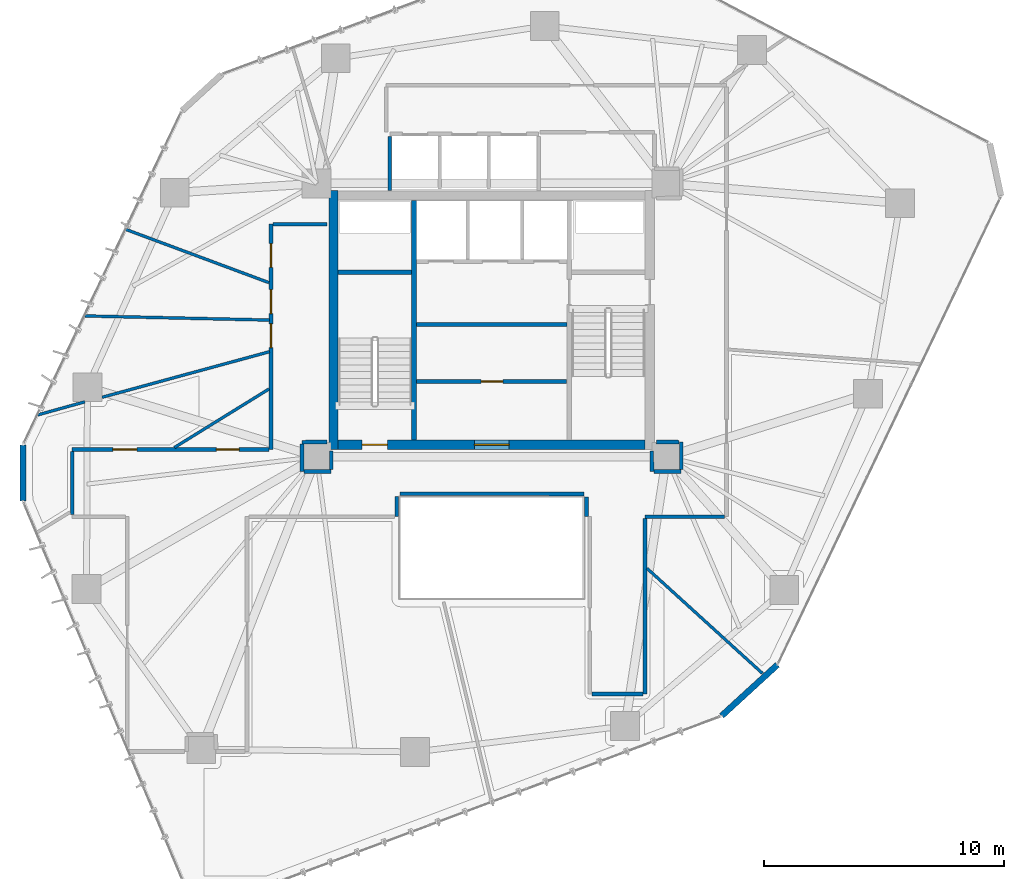
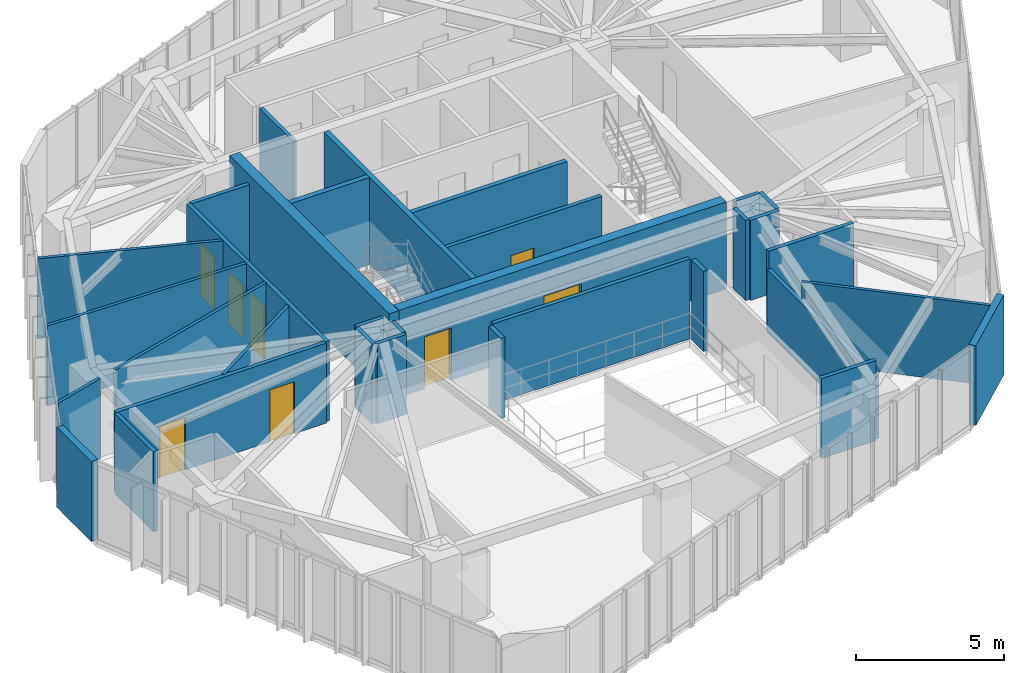
# One storey, part 17 of 22: 33 walls, 8 doors, 8 openings.
"""IFC4 building model written with IfcOpenShell, lengths in metres."""

from ifc_helpers import new_model, si_unit, direction, frame, frame_2d, origin, place, context, subcontext, project, spatial, rectangle, extrude, source, transform, mapped, material, layer, layer_set, type_object, type_shapes, element, fill, save


model = new_model("IFC4")

# Units and contexts
model_context = context("Model", 3, precision=1e-05, world=origin(), true_north=direction((0.0, 1.0)))
body_context = subcontext(model_context, "Body", "Model", "MODEL_VIEW")
ifc_project = project(units=[si_unit("LENGTHUNIT", "METRE"), si_unit("AREAUNIT", "SQUARE_METRE"), si_unit("VOLUMEUNIT", "CUBIC_METRE"), si_unit("PLANEANGLEUNIT", "RADIAN"), si_unit("MASSUNIT", "GRAM", prefix="KILO")], contexts=[model_context])

# Site, building, storey
site_placement = place(None, origin())
site = spatial("IfcSite", under=ifc_project, at=site_placement, CompositionType="ELEMENT")
building_placement = place(site_placement, origin())
building = spatial("IfcBuilding", under=site, at=building_placement, Name="Talar Marvaseh", CompositionType="ELEMENT")
storey_placement = place(building_placement, frame((0.0, 0.0, 150.60009765625)))
storey = spatial("IfcBuildingStorey", under=building, at=storey_placement, Name="L39", CompositionType="ELEMENT", Elevation=150.60009765625)

# Walls
ifc_material_1 = material(Name="Precast concrete C45/55", Category="concrete")
ifc_layer_1 = layer(ifc_material_1, 0.2548828125)
ifc_layer_set_1 = layer_set([ifc_layer_1], Name="Precast concrete C45/55")
wall_type_1 = type_object("IfcWallType", Name="Chamfered Hexagonal Corner Pier Wall Z2 255", PredefinedType="SOLIDWALL", material=ifc_layer_set_1)
wall_1_placement = place(storey_placement, frame((6.457763671875, 23.653076171875, 0.0), z_axis=(0.0, 0.0, 1.0), x_axis=(-0.002190232544, 0.999997601438, 0.0)))
element("IfcWall", 1, at=wall_1_placement, inside=storey, type_object=wall_type_1, Name="L39 Chamfered Corner Limestone Pier 2", PredefinedType="SOLIDWALL", context=body_context, shape_type="SweptSolid", body=[
    extrude(rectangle(XDim=2.3408203125, YDim=0.2548828125, at=frame_2d((1.17041015625, 0.0))), origin(), (0.0, 0.0, 1.0), 3.309814453125),
])
wall_2_placement = place(storey_placement, frame((37.925537109375, 16.820556640625, 0.0), z_axis=(0.0, 0.0, 1.0), x_axis=(-0.737269760329, -0.675598475801, 0.0)))
element("IfcWall", 2, at=wall_2_placement, inside=storey, type_object=wall_type_1, Name="L39 Chamfered Corner Limestone Pier 6", PredefinedType="SOLIDWALL", context=body_context, shape_type="SweptSolid", body=[
    extrude(rectangle(XDim=3.155029296875, YDim=0.2548828125, at=frame_2d((1.57763671875, 0.0))), origin(), (0.0, 0.0, 1.0), 3.309814453125),
])

# Wall, opening, door
ifc_material_2 = material(Name="Gypsum Board Partition Assembly")
ifc_layer_2 = layer(ifc_material_2, 0.155029296875)
ifc_layer_set_2 = layer_set([ifc_layer_2], Name="Gypsum Board Partition Assembly")
wall_type_2 = type_object("IfcWallType", Name="Corridor Fire-Rated Acoustic Partition 155", PredefinedType="PARTITIONING", material=ifc_layer_set_2)
wall_3_placement = place(storey_placement, frame((22.865966796875, 28.639892578125, 0.0), z_axis=(0.0, 0.0, 1.0), x_axis=(1.0, 0.0, 0.0)))
wall_3 = element("IfcWall", 3, at=wall_3_placement, inside=storey, type_object=wall_type_2, Name="L39 Core BOH Partition", PredefinedType="PARTITIONING", context=body_context, shape_type="SweptSolid", body=[
    extrude(rectangle(XDim=6.26806640625, YDim=0.155029296875, at=frame_2d((3.134033203125, 0.0))), origin(), (0.0, 0.0, 1.0), 3.309814453125),
])
opening_1_placement = place(wall_3_placement, frame((2.699951171875, 0.0, 0.0)))
opening_1 = element("IfcOpeningElement", 4, at=opening_1_placement, cuts=wall_3, Name="Opening DR-BOH090", PredefinedType="OPENING", context=body_context, shape_type="SweptSolid", body=[
    extrude(rectangle(XDim=0.89990234375, YDim=2.10009765625, at=frame_2d((0.449951171875, 1.050048828125))), frame((0.0, 0.08740234375, 0.0), z_axis=(0.0, -1.0, 0.0), x_axis=(1.0, 0.0, 0.0)), (0.0, 0.0, 1.0), 0.175048828125),
])
ifc_material_3 = material(Name="Fire-Rated Steel Door Leaf", Category="steel")
door_type_1 = type_object("IfcDoorType", Name="Core Back-of-House Service Door 900x2100", OperationType="NOTDEFINED", PredefinedType="DOOR", material=ifc_material_3)
shared_shape_1 = source(origin(), body_context, "Body", "SweptSolid", [
    extrude(rectangle(XDim=0.89990234375, YDim=2.10009765625, at=frame_2d((0.449951171875, 1.050048828125))), frame((0.0, 0.02490234375, 0.0), z_axis=(0.0, -1.0, 0.0), x_axis=(1.0, 0.0, 0.0)), (0.0, 0.0, 1.0), 0.050048828125),
])
type_shapes(door_type_1, [shared_shape_1])
door_1_placement = place(opening_1_placement, origin())
door_1 = element("IfcDoor", 5, at=door_1_placement, inside=storey, type_object=door_type_1, Name="L39 Store Core Central Archive Door", OperationType="SINGLE_SWING_LEFT", OverallHeight=2.10009765625, OverallWidth=0.89990234375, PredefinedType="DOOR", context=body_context, shape_type="MappedRepresentation", body=[
    mapped(shared_shape_1, transform((0.0, 0.0, 0.0), x_axis=(1.0, 0.0, 0.0), y_axis=(0.0, 1.0, 0.0), z_axis=(0.0, 0.0, 1.0), scale=1.0)),
])
fill(opening_1, door_1)

# Wall, openings, doors
wall_4_placement = place(storey_placement, frame((16.800048828125, 25.800048828125, 0.0), z_axis=(0.0, 0.0, 1.0), x_axis=(0.0, 1.0, 0.0)))
wall_4 = element("IfcWall", 6, at=wall_4_placement, inside=storey, type_object=wall_type_2, Name="L39 Interior Partition Wall", PredefinedType="PARTITIONING", context=body_context, shape_type="SweptSolid", body=[
    extrude(rectangle(XDim=9.39990234375, YDim=0.155029296875, at=frame_2d((4.699951171875, 0.0))), origin(), (0.0, 0.0, 1.0), 3.309814453125),
])
opening_2_placement = place(wall_4_placement, frame((7.595947265625, 0.0, 0.0)))
opening_2 = element("IfcOpeningElement", 7, at=opening_2_placement, cuts=wall_4, Name="Opening DR-RM100", PredefinedType="OPENING", context=body_context, shape_type="SweptSolid", body=[
    extrude(rectangle(XDim=1.0, YDim=2.14990234375, at=frame_2d((0.5, 1.074951171875))), frame((0.0, 0.08740234375, 0.0), z_axis=(0.0, -1.0, 0.0), x_axis=(1.0, 0.0, 0.0)), (0.0, 0.0, 1.0), 0.175048828125),
])
opening_3_placement = place(wall_4_placement, frame((5.669921875, 0.0, 0.0)))
opening_3 = element("IfcOpeningElement", 8, at=opening_3_placement, cuts=wall_4, Name="Opening DR-RM100", PredefinedType="OPENING", context=body_context, shape_type="SweptSolid", body=[
    extrude(rectangle(XDim=1.0, YDim=2.14990234375, at=frame_2d((0.5, 1.074951171875))), frame((0.0, 0.08740234375, 0.0), z_axis=(0.0, -1.0, 0.0), x_axis=(1.0, 0.0, 0.0)), (0.0, 0.0, 1.0), 0.175048828125),
])
opening_4_placement = place(wall_4_placement, frame((4.24755859375, 0.0, 0.0)))
opening_4 = element("IfcOpeningElement", 9, at=opening_4_placement, cuts=wall_4, Name="Opening DR-RM100", PredefinedType="OPENING", context=body_context, shape_type="SweptSolid", body=[
    extrude(rectangle(XDim=1.0, YDim=2.14990234375, at=frame_2d((0.5, 1.074951171875))), frame((0.0, 0.08740234375, 0.0), z_axis=(0.0, -1.0, 0.0), x_axis=(1.0, 0.0, 0.0)), (0.0, 0.0, 1.0), 0.175048828125),
])
ifc_material_4 = material(Name="Acoustic Engineered Oak Timber", Category="wood")
door_type_2 = type_object("IfcDoorType", Name="Corridor Fire-Rated Gallery Door 1000x2150", OperationType="NOTDEFINED", PredefinedType="DOOR", material=ifc_material_4)
shared_shape_2 = source(origin(), body_context, "Body", "SweptSolid", [
    extrude(rectangle(XDim=1.0, YDim=2.14990234375, at=frame_2d((0.5, 1.074951171875))), frame((0.0, 0.02490234375, 0.0), z_axis=(0.0, -1.0, 0.0), x_axis=(1.0, 0.0, 0.0)), (0.0, 0.0, 1.0), 0.050048828125),
])
type_shapes(door_type_2, [shared_shape_2])
door_2_placement = place(opening_2_placement, origin())
door_2 = element("IfcDoor", 10, at=door_2_placement, inside=storey, type_object=door_type_2, Name="L39 Quiet Research Study Door", OperationType="SINGLE_SWING_LEFT", OverallHeight=2.14990234375, OverallWidth=1.0, PredefinedType="DOOR", context=body_context, shape_type="MappedRepresentation", body=[
    mapped(shared_shape_2, transform((0.0, 0.0, 0.0), x_axis=(1.0, 0.0, 0.0), y_axis=(0.0, 1.0, 0.0), z_axis=(0.0, 0.0, 1.0), scale=1.0)),
])
fill(opening_2, door_2)
door_3_placement = place(opening_3_placement, origin())
door_3 = element("IfcDoor", 11, at=door_3_placement, inside=storey, type_object=door_type_2, Name="L39 Editorial Administration Office Door", OperationType="SINGLE_SWING_RIGHT", OverallHeight=2.14990234375, OverallWidth=1.0, PredefinedType="DOOR", context=body_context, shape_type="MappedRepresentation", body=[
    mapped(shared_shape_2, transform((0.0, 0.0, 0.0), x_axis=(1.0, 0.0, 0.0), y_axis=(0.0, 1.0, 0.0), z_axis=(0.0, 0.0, 1.0), scale=1.0)),
])
fill(opening_3, door_3)
door_4_placement = place(opening_4_placement, origin())
door_4 = element("IfcDoor", 12, at=door_4_placement, inside=storey, type_object=door_type_2, Name="L39 Curatorial Office 2 Door", OperationType="SINGLE_SWING_LEFT", OverallHeight=2.14990234375, OverallWidth=1.0, PredefinedType="DOOR", context=body_context, shape_type="MappedRepresentation", body=[
    mapped(shared_shape_2, transform((0.0, 0.0, 0.0), x_axis=(1.0, 0.0, 0.0), y_axis=(0.0, 1.0, 0.0), z_axis=(0.0, 0.0, 1.0), scale=1.0)),
])
fill(opening_4, door_4)

wall_5_placement = place(storey_placement, frame((8.5, 25.800048828125, 0.0), z_axis=(0.0, 0.0, 1.0), x_axis=(1.0, 0.0, 0.0)))
wall_5 = element("IfcWall", 13, at=wall_5_placement, inside=storey, type_object=wall_type_2, Name="L39 Interior Partition Wall", PredefinedType="PARTITIONING", context=body_context, shape_type="SweptSolid", body=[
    extrude(rectangle(XDim=8.216552734375, YDim=0.155029296875, at=frame_2d((4.1083984375, 0.0))), origin(), (0.0, 0.0, 1.0), 3.309814453125),
])
opening_5_placement = place(wall_5_placement, frame((1.698974609375, 0.0, 0.0)))
opening_5 = element("IfcOpeningElement", 14, at=opening_5_placement, cuts=wall_5, Name="Opening DR-RM100", PredefinedType="OPENING", context=body_context, shape_type="SweptSolid", body=[
    extrude(rectangle(XDim=1.0, YDim=2.14990234375, at=frame_2d((0.5, 1.074951171875))), frame((0.0, 0.08740234375, 0.0), z_axis=(0.0, -1.0, 0.0), x_axis=(1.0, 0.0, 0.0)), (0.0, 0.0, 1.0), 0.175048828125),
])
opening_6_placement = place(wall_5_placement, frame((6.015625, 0.0, 0.0)))
opening_6 = element("IfcOpeningElement", 15, at=opening_6_placement, cuts=wall_5, Name="Opening DR-WC095", PredefinedType="OPENING", context=body_context, shape_type="SweptSolid", body=[
    extrude(rectangle(XDim=0.949951171875, YDim=2.14990234375, at=frame_2d((0.47509765625, 1.074951171875))), frame((0.0, 0.08740234375, 0.0), z_axis=(0.0, -1.0, 0.0), x_axis=(1.0, 0.0, 0.0)), (0.0, 0.0, 1.0), 0.175048828125),
])
door_type_3 = type_object("IfcDoorType", Name="Washroom and Service Room Door 950x2150", OperationType="NOTDEFINED", PredefinedType="DOOR", material=ifc_material_4)
shared_shape_3 = source(origin(), body_context, "Body", "SweptSolid", [
    extrude(rectangle(XDim=0.949951171875, YDim=2.14990234375, at=frame_2d((0.47509765625, 1.074951171875))), frame((0.0, 0.02490234375, 0.0), z_axis=(0.0, -1.0, 0.0), x_axis=(1.0, 0.0, 0.0)), (0.0, 0.0, 1.0), 0.050048828125),
])
type_shapes(door_type_3, [shared_shape_3])
door_5_placement = place(opening_6_placement, origin())
door_5 = element("IfcDoor", 16, at=door_5_placement, inside=storey, type_object=door_type_3, Name="L39 WC Public Washrooms Door", OperationType="SINGLE_SWING_LEFT", OverallHeight=2.14990234375, OverallWidth=0.949951171875, PredefinedType="DOOR", context=body_context, shape_type="MappedRepresentation", body=[
    mapped(shared_shape_3, transform((0.0, 0.0, 0.0), x_axis=(1.0, 0.0, 0.0), y_axis=(0.0, 1.0, 0.0), z_axis=(0.0, 0.0, 1.0), scale=1.0)),
])
fill(opening_6, door_5)
door_6_placement = place(opening_5_placement, origin())
door_6 = element("IfcDoor", 17, at=door_6_placement, inside=storey, type_object=door_type_2, Name="L39 Curatorial Office Door", OperationType="SINGLE_SWING_RIGHT", OverallHeight=2.14990234375, OverallWidth=1.0, PredefinedType="DOOR", context=body_context, shape_type="MappedRepresentation", body=[
    mapped(shared_shape_2, transform((0.0, 0.0, 0.0), x_axis=(1.0, 0.0, 0.0), y_axis=(0.0, 1.0, 0.0), z_axis=(0.0, 0.0, 1.0), scale=1.0)),
])
fill(opening_5, door_6)

# Walls
wall_6_placement = place(storey_placement, frame((16.883544921875, 35.199951171875, 0.0), z_axis=(0.0, 0.0, 1.0), x_axis=(1.0, 0.0, 0.0)))
element("IfcWall", 18, at=wall_6_placement, inside=storey, type_object=wall_type_2, Name="L39 Interior Partition Wall", PredefinedType="PARTITIONING", context=body_context, shape_type="SweptSolid", body=[
    extrude(rectangle(XDim=2.246337890625, YDim=0.155029296875, at=frame_2d((1.123046875, 0.0))), origin(), (0.0, 0.0, 1.0), 3.309814453125),
])
wall_7_placement = place(storey_placement, frame((19.1298828125, 26.114990234375, 0.0), z_axis=(0.0, 0.0, 1.0), x_axis=(-0.999986702653, -0.005156987215, 0.0)))
element("IfcWall", 19, at=wall_7_placement, inside=storey, type_object=wall_type_2, Name="L39 Interior Partition Wall", PredefinedType="PARTITIONING", context=body_context, shape_type="SweptSolid", body=[
    extrude(rectangle(XDim=1.04150390625, YDim=0.155029296875, at=frame_2d((0.520751953125, 0.0))), origin(), (0.0, 0.0, 1.0), 3.309814453125),
])
wall_8_placement = place(storey_placement, frame((18.088623046875, 26.02587890625, 0.0), z_axis=(0.0, 0.0, 1.0), x_axis=(0.002787893948, -0.999996113816, 0.0)))
element("IfcWall", 20, at=wall_8_placement, inside=storey, type_object=wall_type_2, Name="L39 Interior Partition Wall", PredefinedType="PARTITIONING", context=body_context, shape_type="SweptSolid", body=[
    extrude(rectangle(XDim=1.138427734375, YDim=0.155029296875, at=frame_2d((0.5693359375, 0.0))), origin(), (0.0, 0.0, 1.0), 3.309814453125),
])
wall_9_placement = place(storey_placement, frame((18.17529296875, 24.8876953125, 0.0), z_axis=(0.0, 0.0, 1.0), x_axis=(0.999999791525, 0.000645716611, 0.0)))
element("IfcWall", 21, at=wall_9_placement, inside=storey, type_object=wall_type_2, Name="L39 Interior Partition Wall", PredefinedType="PARTITIONING", context=body_context, shape_type="SweptSolid", body=[
    extrude(rectangle(XDim=1.13427734375, YDim=0.155029296875, at=frame_2d((0.567138671875, 0.0))), origin(), (0.0, 0.0, 1.0), 3.309814453125),
])
wall_10_placement = place(storey_placement, frame((19.31005859375, 24.971923828125, 0.0), z_axis=(0.0, 0.0, 1.0), x_axis=(0.006441090216, 0.999979255963, 0.0)))
element("IfcWall", 22, at=wall_10_placement, inside=storey, type_object=wall_type_2, Name="L39 Interior Partition Wall", PredefinedType="PARTITIONING", context=body_context, shape_type="SweptSolid", body=[
    extrude(rectangle(XDim=0.758056640625, YDim=0.155029296875, at=frame_2d((0.37890625, 0.0))), origin(), (0.0, 0.0, 1.0), 3.309814453125),
])
wall_11_placement = place(storey_placement, frame((32.68505859375, 25.72998046875, 0.0), z_axis=(0.0, 0.0, 1.0), x_axis=(0.006382231486, -0.999979633353, 0.0)))
element("IfcWall", 23, at=wall_11_placement, inside=storey, type_object=wall_type_2, Name="L39 Interior Partition Wall", PredefinedType="PARTITIONING", context=body_context, shape_type="SweptSolid", body=[
    extrude(rectangle(XDim=0.841552734375, YDim=0.155029296875, at=frame_2d((0.4208984375, 0.0))), origin(), (0.0, 0.0, 1.0), 3.309814453125),
])
wall_12_placement = place(storey_placement, frame((32.77392578125, 24.88818359375, 0.0), z_axis=(0.0, 0.0, 1.0), x_axis=(0.999999164303, -0.001292823742, 0.0)))
element("IfcWall", 24, at=wall_12_placement, inside=storey, type_object=wall_type_2, Name="L39 Interior Partition Wall", PredefinedType="PARTITIONING", context=body_context, shape_type="SweptSolid", body=[
    extrude(rectangle(XDim=1.133056640625, YDim=0.155029296875, at=frame_2d((0.56640625, 0.0))), origin(), (0.0, 0.0, 1.0), 3.309814453125),
])
wall_13_placement = place(storey_placement, frame((33.907470703125, 24.97021484375, 0.0), z_axis=(0.0, 0.0, 1.0), x_axis=(0.003642572792, 0.99999336581, 0.0)))
element("IfcWall", 25, at=wall_13_placement, inside=storey, type_object=wall_type_2, Name="L39 Interior Partition Wall", PredefinedType="PARTITIONING", context=body_context, shape_type="SweptSolid", body=[
    extrude(rectangle(XDim=1.139404296875, YDim=0.155029296875, at=frame_2d((0.56982421875, 0.0))), origin(), (0.0, 0.0, 1.0), 3.309814453125),
])
wall_14_placement = place(storey_placement, frame((33.828125, 26.110107421875, 0.0), z_axis=(0.0, 0.0, 1.0), x_axis=(-0.999987011364, 0.005096773758, 0.0)))
element("IfcWall", 26, at=wall_14_placement, inside=storey, type_object=wall_type_2, Name="L39 Interior Partition Wall", PredefinedType="PARTITIONING", context=body_context, shape_type="SweptSolid", body=[
    extrude(rectangle(XDim=0.9580078125, YDim=0.155029296875, at=frame_2d((0.47900390625, 0.0))), origin(), (0.0, 0.0, 1.0), 3.309814453125),
])
wall_15_placement = place(storey_placement, frame((35.716552734375, 23.0, 0.0), z_axis=(0.0, 0.0, 1.0), x_axis=(-1.0, 0.0, 0.0)))
element("IfcWall", 27, at=wall_15_placement, inside=storey, type_object=wall_type_2, Name="L39 Interior Partition Wall", PredefinedType="PARTITIONING", context=body_context, shape_type="SweptSolid", body=[
    extrude(rectangle(XDim=3.316650390625, YDim=0.155029296875, at=frame_2d((1.658203125, 0.0))), origin(), (0.0, 0.0, 1.0), 3.309814453125),
])
wall_16_placement = place(storey_placement, frame((32.39990234375, 22.91650390625, 0.0), z_axis=(0.0, 0.0, 1.0), x_axis=(0.0, -1.0, 0.0)))
element("IfcWall", 28, at=wall_16_placement, inside=storey, type_object=wall_type_2, Name="L39 Interior Partition Wall", PredefinedType="PARTITIONING", context=body_context, shape_type="SweptSolid", body=[
    extrude(rectangle(XDim=7.31640625, YDim=0.155029296875, at=frame_2d((3.658203125, 0.0))), origin(), (0.0, 0.0, 1.0), 2.58984375),
])
wall_17_placement = place(storey_placement, frame((32.31640625, 15.60009765625, 0.0), z_axis=(0.0, 0.0, 1.0), x_axis=(-1.0, 0.0, 0.0)))
element("IfcWall", 29, at=wall_17_placement, inside=storey, type_object=wall_type_2, Name="L39 Interior Partition Wall", PredefinedType="PARTITIONING", context=body_context, shape_type="SweptSolid", body=[
    extrude(rectangle(XDim=2.1328125, YDim=0.155029296875, at=frame_2d((1.06640625, 0.0))), origin(), (0.0, 0.0, 1.0), 3.309814453125),
])
wall_18_placement = place(storey_placement, frame((29.9599609375, 23.0, 0.0), z_axis=(0.0, 0.0, 1.0), x_axis=(-0.000897934388, 0.999999596857, 0.0)))
element("IfcWall", 30, at=wall_18_placement, inside=storey, type_object=wall_type_2, Name="L39 Interior Partition Wall", PredefinedType="PARTITIONING", context=body_context, shape_type="SweptSolid", body=[
    extrude(rectangle(XDim=0.815673828125, YDim=0.155029296875, at=frame_2d((0.40771484375, 0.0))), origin(), (0.0, 0.0, 1.0), 3.309814453125),
])
wall_19_placement = place(storey_placement, frame((29.861083984375, 23.94775390625, 0.0), z_axis=(0.0, 0.0, 1.0), x_axis=(-0.999998882907, 0.001494719104, 0.0)))
element("IfcWall", 31, at=wall_19_placement, inside=storey, type_object=wall_type_2, Name="L39 Interior Partition Wall", PredefinedType="PARTITIONING", context=body_context, shape_type="SweptSolid", body=[
    extrude(rectangle(XDim=7.6767578125, YDim=0.155029296875, at=frame_2d((3.83837890625, 0.0))), origin(), (0.0, 0.0, 1.0), 3.309814453125),
])
wall_20_placement = place(storey_placement, frame((22.043212890625, 23.831298828125, 0.0), z_axis=(0.0, 0.0, 1.0), x_axis=(-0.003817887006, -0.999992711843, 0.0)))
element("IfcWall", 32, at=wall_20_placement, inside=storey, type_object=wall_type_2, Name="L39 Interior Partition Wall", PredefinedType="PARTITIONING", context=body_context, shape_type="SweptSolid", body=[
    extrude(rectangle(XDim=0.831298828125, YDim=0.155029296875, at=frame_2d((0.41552734375, 0.0))), origin(), (0.0, 0.0, 1.0), 3.309814453125),
])
wall_21_placement = place(storey_placement, frame((8.5, 23.08349609375, 0.0), z_axis=(0.0, 0.0, 1.0), x_axis=(0.0, 1.0, 0.0)))
element("IfcWall", 33, at=wall_21_placement, inside=storey, type_object=wall_type_2, Name="L39 Interior Partition Wall", PredefinedType="PARTITIONING", context=body_context, shape_type="SweptSolid", body=[
    extrude(rectangle(XDim=2.633056640625, YDim=0.155029296875, at=frame_2d((1.31640625, 0.0))), origin(), (0.0, 0.0, 1.0), 3.309814453125),
])
ifc_layer_3 = layer(ifc_material_2, 0.1201171875)
ifc_layer_set_3 = layer_set([ifc_layer_3], Name="Gypsum Board Partition Assembly")
wall_type_3 = type_object("IfcWallType", Name="Demountable Studio Room Partition 120", PredefinedType="PARTITIONING", material=ifc_layer_set_3)
wall_22_placement = place(storey_placement, frame((16.716552734375, 28.328369140625, 0.0), z_axis=(0.0, 0.0, 1.0), x_axis=(-0.850403959132, -0.526130313033, 0.0)))
element("IfcWall", 34, at=wall_22_placement, inside=storey, type_object=wall_type_3, Name="L39 Interior Partition Wall", PredefinedType="PARTITIONING", context=body_context, shape_type="SweptSolid", body=[
    extrude(rectangle(XDim=4.646728515625, YDim=0.1201171875, at=frame_2d((2.3232421875, 0.0))), origin(), (0.0, 0.0, 1.0), 3.309814453125),
])
wall_23_placement = place(storey_placement, frame((7.061279296875, 27.243896484375, 0.0), z_axis=(0.0, 0.0, 1.0), x_axis=(0.963610298393, 0.267311041357, 0.0)))
element("IfcWall", 35, at=wall_23_placement, inside=storey, type_object=wall_type_3, Name="L39 Interior Partition Wall", PredefinedType="PARTITIONING", context=body_context, shape_type="SweptSolid", body=[
    extrude(rectangle(XDim=2.043212890625, YDim=0.1201171875, at=frame_2d((1.021484375, 0.0))), origin(), (0.0, 0.0, 1.0), 3.309814453125),
])
wall_24_placement = place(storey_placement, frame((9.75, 27.97998046875, 0.0), z_axis=(0.0, 0.0, 1.0), x_axis=(0.964861780879, 0.26275795668, 0.0)))
element("IfcWall", 36, at=wall_24_placement, inside=storey, type_object=wall_type_3, Name="L39 Interior Partition Wall", PredefinedType="PARTITIONING", context=body_context, shape_type="SweptSolid", body=[
    extrude(rectangle(XDim=7.24169921875, YDim=0.1201171875, at=frame_2d((3.620849609375, 0.0))), origin(), (0.0, 0.0, 1.0), 3.309814453125),
])
wall_25_placement = place(storey_placement, frame((32.4833984375, 20.843994140625, 0.0), z_axis=(0.0, 0.0, 1.0), x_axis=(0.739743124428, -0.672889374163, 0.0)))
element("IfcWall", 37, at=wall_25_placement, inside=storey, type_object=wall_type_3, Name="L39 Interior Partition Wall", PredefinedType="PARTITIONING", context=body_context, shape_type="SweptSolid", body=[
    extrude(rectangle(XDim=6.507568359375, YDim=0.1201171875, at=frame_2d((3.25390625, 0.0))), origin(), (0.0, 0.0, 1.0), 3.309814453125),
])
wall_26_placement = place(storey_placement, frame((16.716552734375, 32.760986328125, 0.0), z_axis=(0.0, 0.0, 1.0), x_axis=(-0.937297585828, 0.348530107167, 0.0)))
element("IfcWall", 38, at=wall_26_placement, inside=storey, type_object=wall_type_3, Name="L39 Interior Partition Wall", PredefinedType="PARTITIONING", context=body_context, shape_type="SweptSolid", body=[
    extrude(rectangle(XDim=6.368896484375, YDim=0.1201171875, at=frame_2d((3.1845703125, 0.0))), origin(), (0.0, 0.0, 1.0), 3.309814453125),
])
wall_27_placement = place(storey_placement, frame((16.735107421875, 31.201416015625, 0.0), z_axis=(0.0, 0.0, 1.0), x_axis=(-0.999748480805, 0.022427107012, 0.0)))
element("IfcWall", 39, at=wall_27_placement, inside=storey, type_object=wall_type_3, Name="L39 Interior Partition Wall", PredefinedType="PARTITIONING", context=body_context, shape_type="SweptSolid", body=[
    extrude(rectangle(XDim=7.707275390625, YDim=0.1201171875, at=frame_2d((3.853515625, 0.0))), origin(), (0.0, 0.0, 1.0), 3.309814453125),
])
ifc_layer_4 = layer(ifc_material_1, 0.14501953125)
ifc_layer_set_4 = layer_set([ifc_layer_4], Name="Precast concrete C45/55")
wall_type_4 = type_object("IfcWallType", Name="Fire-Rated Lift Divider Wall 145", PredefinedType="SOLIDWALL", material=ifc_layer_set_4)
wall_28_placement = place(storey_placement, frame((21.760009765625, 36.60009765625, 0.0), z_axis=(0.0, 0.0, 1.0), x_axis=(0.0, 1.0, 0.0)))
element("IfcWall", 40, at=wall_28_placement, inside=storey, type_object=wall_type_4, Name="L39 Low-Rise Bank West Wall", PredefinedType="SOLIDWALL", context=body_context, shape_type="SweptSolid", body=[
    extrude(rectangle(XDim=2.266357421875, YDim=0.14501953125, at=frame_2d((1.13330078125, 0.0))), origin(), (0.0, 0.0, 1.0), 3.309814453125),
])
ifc_layer_5 = layer(ifc_material_1, 0.175048828125)
ifc_layer_set_5 = layer_set([ifc_layer_5], Name="Precast concrete C45/55")
wall_type_5 = type_object("IfcWallType", Name="Fire-Rated Lift Hoistway Enclosure Wall 175", PredefinedType="SOLIDWALL", material=ifc_layer_set_5)
wall_29_placement = place(storey_placement, frame((22.860107421875, 31.02001953125, 0.0), z_axis=(0.0, 0.0, 1.0), x_axis=(1.0, 0.0, 0.0)))
element("IfcWall", 41, at=wall_29_placement, inside=storey, type_object=wall_type_5, Name="L39 Firefighting Lobby South Smoke Wall", PredefinedType="SOLIDWALL", context=body_context, shape_type="SweptSolid", body=[
    extrude(rectangle(XDim=6.27978515625, YDim=0.175048828125, at=frame_2d((3.139892578125, 0.0))), origin(), (0.0, 0.0, 1.0), 3.309814453125),
])
ifc_material_5 = material(Name="Concrete C60/75", Category="concrete")
ifc_layer_6 = layer(ifc_material_5, 0.3798828125)
ifc_layer_set_6 = layer_set([ifc_layer_6], Name="Concrete C60/75")
wall_type_6 = type_object("IfcWallType", Name="Mid Core Reinforced Concrete Shear Wall 380", PredefinedType="SHEAR", material=ifc_layer_set_6)
wall_30_placement = place(storey_placement, frame((19.39990234375, 25.800048828125, 0.0), z_axis=(0.0, 0.0, 1.0), x_axis=(0.0, 1.0, 0.0)))
element("IfcWall", 42, at=wall_30_placement, inside=storey, type_object=wall_type_6, Name="L39 West Core Shear Wall", PredefinedType="SHEAR", context=body_context, shape_type="SweptSolid", body=[
    extrude(rectangle(XDim=10.800048828125, YDim=0.3798828125, at=frame_2d((5.39990234375, 0.0))), origin(), (0.0, 0.0, 1.0), 3.599853515625),
])

# Wall, openings, doors
wall_31_placement = place(storey_placement, frame((32.39990234375, 26.0, 0.0), z_axis=(0.0, 0.0, 1.0), x_axis=(-1.0, 0.0, 0.0)))
wall_31 = element("IfcWall", 43, at=wall_31_placement, inside=storey, type_object=wall_type_6, Name="L39 South Core Shear Wall", PredefinedType="SHEAR", context=body_context, shape_type="SweptSolid", body=[
    extrude(rectangle(XDim=12.7998046875, YDim=0.3798828125, at=frame_2d((6.39990234375, 0.0))), origin(), (0.0, 0.0, 1.0), 3.599853515625),
])
opening_7_placement = place(wall_31_placement, frame((10.75, 0.0, 0.0)))
opening_7 = element("IfcOpeningElement", 44, at=opening_7_placement, cuts=wall_31, Name="Opening DR-ST105", PredefinedType="OPENING", context=body_context, shape_type="SweptSolid", body=[
    extrude(rectangle(XDim=1.050048828125, YDim=2.14990234375, at=frame_2d((0.52490234375, 1.074951171875))), frame((0.0, 0.199951171875, 0.0), z_axis=(0.0, -1.0, 0.0), x_axis=(1.0, 0.0, 0.0)), (0.0, 0.0, 1.0), 0.39990234375),
])
opening_8_placement = place(wall_31_placement, frame((5.669921875, 0.0, 0.0)))
opening_8 = element("IfcOpeningElement", 45, at=opening_8_placement, cuts=wall_31, Name="Opening DR-LBY145", PredefinedType="OPENING", context=body_context, shape_type="SweptSolid", body=[
    extrude(rectangle(XDim=1.449951171875, YDim=2.199951171875, at=frame_2d((0.72509765625, 1.10009765625))), frame((0.0, 0.199951171875, 0.0), z_axis=(0.0, -1.0, 0.0), x_axis=(1.0, 0.0, 0.0)), (0.0, 0.0, 1.0), 0.39990234375),
])
door_type_4 = type_object("IfcDoorType", Name="Protected Exit Stair Fire Door 1050x2150", OperationType="NOTDEFINED", PredefinedType="DOOR", material=ifc_material_3)
shared_shape_4 = source(origin(), body_context, "Body", "SweptSolid", [
    extrude(rectangle(XDim=1.050048828125, YDim=2.14990234375, at=frame_2d((0.52490234375, 1.074951171875))), frame((0.0, 0.02490234375, 0.0), z_axis=(0.0, -1.0, 0.0), x_axis=(1.0, 0.0, 0.0)), (0.0, 0.0, 1.0), 0.050048828125),
])
type_shapes(door_type_4, [shared_shape_4])
door_7_placement = place(opening_7_placement, origin())
door_7 = element("IfcDoor", 46, at=door_7_placement, inside=storey, type_object=door_type_4, Name="L39 Stair ST-1 Exit Door", OperationType="SINGLE_SWING_RIGHT", OverallHeight=2.14990234375, OverallWidth=1.050048828125, PredefinedType="DOOR", context=body_context, shape_type="MappedRepresentation", body=[
    mapped(shared_shape_4, transform((0.0, 0.0, 0.0), x_axis=(1.0, 0.0, 0.0), y_axis=(0.0, 1.0, 0.0), z_axis=(0.0, 0.0, 1.0), scale=1.0)),
])
fill(opening_7, door_7)
door_type_5 = type_object("IfcDoorType", Name="Core Lift Lobby Double Smoke Door 1450x2200", OperationType="NOTDEFINED", PredefinedType="DOOR", material=ifc_material_3)
shared_shape_5 = source(origin(), body_context, "Body", "SweptSolid", [
    extrude(rectangle(XDim=1.449951171875, YDim=2.199951171875, at=frame_2d((0.72509765625, 1.10009765625))), frame((0.0, 0.02490234375, 0.0), z_axis=(0.0, -1.0, 0.0), x_axis=(1.0, 0.0, 0.0)), (0.0, 0.0, 1.0), 0.050048828125),
])
type_shapes(door_type_5, [shared_shape_5])
door_8_placement = place(opening_8_placement, origin())
door_8 = element("IfcDoor", 47, at=door_8_placement, inside=storey, type_object=door_type_5, Name="L39 Passenger Lift Lobby Entrance Door", OperationType="DOUBLE_DOOR_SINGLE_SWING", OverallHeight=2.199951171875, OverallWidth=1.449951171875, PredefinedType="DOOR", context=body_context, shape_type="MappedRepresentation", body=[
    mapped(shared_shape_5, transform((0.0, 0.0, 0.0), x_axis=(1.0, 0.0, 0.0), y_axis=(0.0, 1.0, 0.0), z_axis=(0.0, 0.0, 1.0), scale=1.0)),
])
fill(opening_8, door_8)

# Walls
ifc_material_6 = material(Name="Concrete C50/60", Category="concrete")
ifc_layer_7 = layer(ifc_material_6, 0.199951171875)
ifc_layer_set_7 = layer_set([ifc_layer_7], Name="Concrete C50/60")
wall_type_7 = type_object("IfcWallType", Name="Stair Shaft Structural Concrete Shear Wall 200", PredefinedType="SHEAR", material=ifc_layer_set_7)
wall_32_placement = place(storey_placement, frame((22.760009765625, 26.199951171875, 0.0), z_axis=(0.0, 0.0, 1.0), x_axis=(0.0, 1.0, 0.0)))
element("IfcWall", 48, at=wall_32_placement, inside=storey, type_object=wall_type_7, Name="L39 Core West Stair Shear Wall", PredefinedType="SHEAR", context=body_context, shape_type="SweptSolid", body=[
    extrude(rectangle(XDim=10.0, YDim=0.199951171875, at=frame_2d((5.0, 0.0))), origin(), (0.0, 0.0, 1.0), 3.599853515625),
])
wall_33_placement = place(storey_placement, frame((19.60009765625, 33.199951171875, 0.0), z_axis=(0.0, 0.0, 1.0), x_axis=(1.0, 0.0, 0.0)))
element("IfcWall", 49, at=wall_33_placement, inside=storey, type_object=wall_type_7, Name="L39 Stair ST-1 North Shear Wall", PredefinedType="SHEAR", context=body_context, shape_type="SweptSolid", body=[
    extrude(rectangle(XDim=3.059814453125, YDim=0.199951171875, at=frame_2d((1.52978515625, 0.0))), origin(), (0.0, 0.0, 1.0), 3.599853515625),
])

save(model, "model.ifc")
